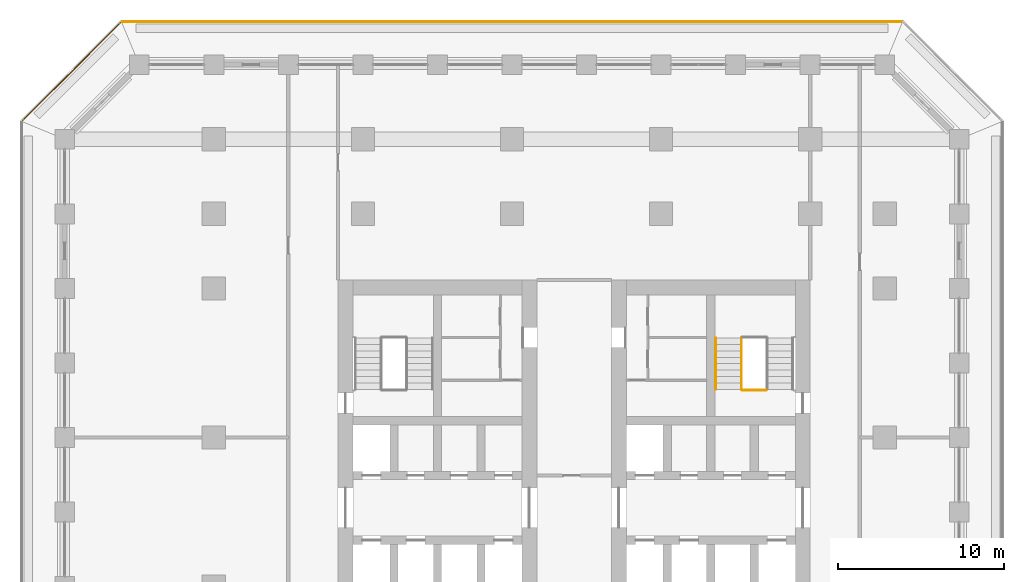
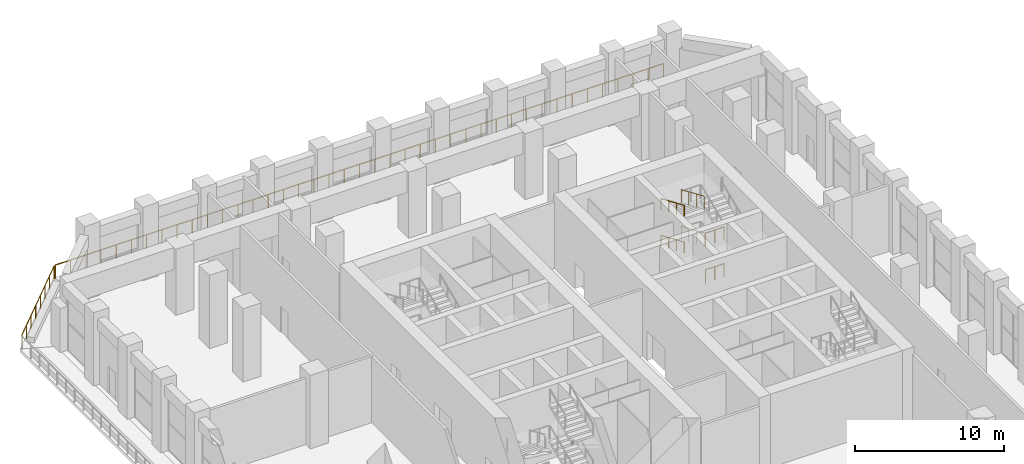
# One storey, part 22 of 24: 8 railings.
"""IFC4 building model written with IfcOpenShell, lengths in metres."""

from ifc_helpers import new_model, si_unit, direction, frame, origin, origin_2d, place, context, subcontext, project, spatial, circle, extrude, material, type_object, element, save


model = new_model("IFC4")

# Units and contexts
model_context = context("Model", 3, precision=1e-05, world=origin(), true_north=direction((0.0, 1.0)))
body_context = subcontext(model_context, "Body", "Model", "MODEL_VIEW")
ifc_project = project(units=[si_unit("LENGTHUNIT", "METRE"), si_unit("AREAUNIT", "SQUARE_METRE"), si_unit("VOLUMEUNIT", "CUBIC_METRE"), si_unit("PLANEANGLEUNIT", "RADIAN"), si_unit("MASSUNIT", "GRAM", prefix="KILO")], contexts=[model_context])

# Site, building, storey
site_placement = place(None, origin())
site = spatial("IfcSite", under=ifc_project, at=site_placement, CompositionType="ELEMENT")
building_placement = place(site_placement, origin())
building = spatial("IfcBuilding", under=site, at=building_placement, Name="Corbel Stack Research Tower", CompositionType="ELEMENT")
storey_placement = place(building_placement, frame((0.0, 0.0, 145.39990234375)))
storey = spatial("IfcBuildingStorey", under=building, at=storey_placement, Name="L33", CompositionType="ELEMENT", Elevation=145.39990234375)

# Railings
ifc_material_1 = material(Name="Steel S355", Category="steel")
railing_type_1 = type_object("IfcRailingType", Name="Stair guard 1100", PredefinedType="GUARDRAIL", material=ifc_material_1)
railing_1_placement = place(storey_placement, frame((13.85009765625, 15.00390625, 1.666748046875)))
element("IfcRailing", 1, at=railing_1_placement, inside=storey, type_object=railing_type_1, Name="L33 ST-E2 stair guard 4", PredefinedType="GUARDRAIL", context=body_context, shape_type="SweptSolid", body=[
    extrude(circle(Radius=0.02392578125, at=origin_2d()), frame((0.0, 0.0, 1.076171875), z_axis=(0.0, -0.918826996994, 0.394660549834), x_axis=(1.0, 0.0, 0.0)), (0.0, 0.0, 1.0), 3.378173828125),
    extrude(circle(Radius=0.02099609375, at=origin_2d()), origin(), (0.0, 0.0, 1.0), 1.052001953125),
    extrude(circle(Radius=0.02099609375, at=origin_2d()), frame((0.0, -1.03466796875, 0.4443359375)), (0.0, 0.0, 1.0), 1.052001953125),
    extrude(circle(Radius=0.02099609375, at=origin_2d()), frame((0.0, -2.0693359375, 0.888916015625)), (0.0, 0.0, 1.0), 1.052001953125),
    extrude(circle(Radius=0.02099609375, at=origin_2d()), frame((0.0, -3.10400390625, 1.333251953125)), (0.0, 0.0, 1.0), 1.052001953125),
])
railing_2_placement = place(storey_placement, frame((15.35009765625, 11.85009765625, 3.0)))
element("IfcRailing", 2, at=railing_2_placement, inside=storey, type_object=railing_type_1, Name="L33 ST-E2 stair guard 5", PredefinedType="GUARDRAIL", context=body_context, shape_type="SweptSolid", body=[
    extrude(circle(Radius=0.02392578125, at=origin_2d()), frame((0.0, 0.0, 1.076171875), z_axis=(-1.0, 0.0, 0.0), x_axis=(0.0, -1.0, 0.0)), (0.0, 0.0, 1.0), 1.4501953125),
    extrude(circle(Radius=0.02099609375, at=origin_2d()), origin(), (0.0, 0.0, 1.0), 1.052001953125),
    extrude(circle(Radius=0.02099609375, at=origin_2d()), frame((-0.72509765625, 0.0, 0.0)), (0.0, 0.0, 1.0), 1.052001953125),
    extrude(circle(Radius=0.02099609375, at=origin_2d()), frame((-1.4501953125, 0.0, 0.0)), (0.0, 0.0, 1.0), 1.052001953125),
])
railing_3_placement = place(storey_placement, frame((13.85009765625, 15.00390625, 4.666748046875)))
element("IfcRailing", 3, at=railing_3_placement, inside=storey, type_object=railing_type_1, Name="L33 ST-E2 stair guard 10", PredefinedType="GUARDRAIL", context=body_context, shape_type="SweptSolid", body=[
    extrude(circle(Radius=0.02392578125, at=origin_2d()), frame((0.0, 0.0, 1.076171875), z_axis=(0.0, -0.918826996994, 0.394660549834), x_axis=(1.0, 0.0, 0.0)), (0.0, 0.0, 1.0), 3.378173828125),
    extrude(circle(Radius=0.02099609375, at=origin_2d()), origin(), (0.0, 0.0, 1.0), 1.052001953125),
    extrude(circle(Radius=0.02099609375, at=origin_2d()), frame((0.0, -1.03466796875, 0.4443359375)), (0.0, 0.0, 1.0), 1.052001953125),
    extrude(circle(Radius=0.02099609375, at=origin_2d()), frame((0.0, -2.0693359375, 0.888916015625)), (0.0, 0.0, 1.0), 1.052001953125),
    extrude(circle(Radius=0.02099609375, at=origin_2d()), frame((0.0, -3.10400390625, 1.333251953125)), (0.0, 0.0, 1.0), 1.052001953125),
])
railing_4_placement = place(storey_placement, frame((15.35009765625, 11.85009765625, 0.0)))
element("IfcRailing", 4, at=railing_4_placement, inside=storey, type_object=railing_type_1, Name="L33 ST-E2 stair guard 11", PredefinedType="GUARDRAIL", context=body_context, shape_type="SweptSolid", body=[
    extrude(circle(Radius=0.02392578125, at=origin_2d()), frame((0.0, 0.0, 1.076171875), z_axis=(-1.0, 0.0, 0.0), x_axis=(0.0, -1.0, 0.0)), (0.0, 0.0, 1.0), 1.4501953125),
    extrude(circle(Radius=0.02099609375, at=origin_2d()), origin(), (0.0, 0.0, 1.0), 1.052001953125),
    extrude(circle(Radius=0.02099609375, at=origin_2d()), frame((-0.72509765625, 0.0, 0.0)), (0.0, 0.0, 1.0), 1.052001953125),
    extrude(circle(Radius=0.02099609375, at=origin_2d()), frame((-1.4501953125, 0.0, 0.0)), (0.0, 0.0, 1.0), 1.052001953125),
])
ifc_material_2 = material(Name="Steel S355", Category="steel")
railing_type_2 = type_object("IfcRailingType", Name="Stair handrail 900", PredefinedType="HANDRAIL", material=ifc_material_2)
for number, where, name in (
    (5, (12.300048828125, 15.00390625, 1.666748046875), "L33 ST-E2 stair handrail 2"),
    (6, (12.300048828125, 15.00390625, 4.666748046875), "L33 ST-E2 stair handrail 4"),
):
    element("IfcRailing", number, at=place(storey_placement, frame(where)), inside=storey, type_object=railing_type_2, Name=name, PredefinedType="HANDRAIL", context=body_context, shape_type="SweptSolid", body=[
        extrude(circle(Radius=0.02392578125, at=origin_2d()), frame((0.0, 0.0, 0.8759765625), z_axis=(0.0, -0.918826996994, 0.394660549834), x_axis=(1.0, 0.0, 0.0)), (0.0, 0.0, 1.0), 3.378173828125),
        extrude(circle(Radius=0.02099609375, at=origin_2d()), origin(), (0.0, 0.0, 1.0), 0.851806640625),
        extrude(circle(Radius=0.02099609375, at=origin_2d()), frame((0.0, -1.03466796875, 0.4443359375)), (0.0, 0.0, 1.0), 0.851806640625),
        extrude(circle(Radius=0.02099609375, at=origin_2d()), frame((0.0, -2.0693359375, 0.888916015625)), (0.0, 0.0, 1.0), 0.851806640625),
        extrude(circle(Radius=0.02099609375, at=origin_2d()), frame((0.0, -3.10400390625, 1.333251953125)), (0.0, 0.0, 1.0), 0.851806640625),
    ])
ifc_material_3 = material(Name="Powder-coated steel guard", Category="steel")
railing_type_3 = type_object("IfcRailingType", Name="Steel and glass guard 1100", PredefinedType="GUARDRAIL", material=ifc_material_3)
railing_5_placement = place(storey_placement, frame((23.50537109375, 34.10009765625, 0.0)))
element("IfcRailing", 7, at=railing_5_placement, inside=storey, type_object=railing_type_3, Name="Loggia guard L33 N", PredefinedType="GUARDRAIL", context=body_context, shape_type="SweptSolid", body=[
    extrude(circle(Radius=0.02392578125, at=origin_2d()), frame((0.0, 0.0, 1.076171875), z_axis=(-1.0, 0.0, 0.0), x_axis=(0.0, -1.0, 0.0)), (0.0, 0.0, 1.0), 47.0107421875),
    extrude(circle(Radius=0.02099609375, at=origin_2d()), origin(), (0.0, 0.0, 1.0), 1.052001953125),
    extrude(circle(Radius=0.02099609375, at=origin_2d()), frame((-1.17529296875, 0.0, 0.0)), (0.0, 0.0, 1.0), 1.052001953125),
    extrude(circle(Radius=0.02099609375, at=origin_2d()), frame((-2.3505859375, 0.0, 0.0)), (0.0, 0.0, 1.0), 1.052001953125),
    extrude(circle(Radius=0.02099609375, at=origin_2d()), frame((-3.52587890625, 0.0, 0.0)), (0.0, 0.0, 1.0), 1.052001953125),
    extrude(circle(Radius=0.02099609375, at=origin_2d()), frame((-4.701171875, 0.0, 0.0)), (0.0, 0.0, 1.0), 1.052001953125),
    extrude(circle(Radius=0.02099609375, at=origin_2d()), frame((-5.87646484375, 0.0, 0.0)), (0.0, 0.0, 1.0), 1.052001953125),
    extrude(circle(Radius=0.02099609375, at=origin_2d()), frame((-7.051513671875, 0.0, 0.0)), (0.0, 0.0, 1.0), 1.052001953125),
    extrude(circle(Radius=0.02099609375, at=origin_2d()), frame((-8.226806640625, 0.0, 0.0)), (0.0, 0.0, 1.0), 1.052001953125),
    extrude(circle(Radius=0.02099609375, at=origin_2d()), frame((-9.402099609375, 0.0, 0.0)), (0.0, 0.0, 1.0), 1.052001953125),
    extrude(circle(Radius=0.02099609375, at=origin_2d()), frame((-10.577392578125, 0.0, 0.0)), (0.0, 0.0, 1.0), 1.052001953125),
    extrude(circle(Radius=0.02099609375, at=origin_2d()), frame((-11.752685546875, 0.0, 0.0)), (0.0, 0.0, 1.0), 1.052001953125),
    extrude(circle(Radius=0.02099609375, at=origin_2d()), frame((-12.927978515625, 0.0, 0.0)), (0.0, 0.0, 1.0), 1.052001953125),
    extrude(circle(Radius=0.02099609375, at=origin_2d()), frame((-14.103271484375, 0.0, 0.0)), (0.0, 0.0, 1.0), 1.052001953125),
    extrude(circle(Radius=0.02099609375, at=origin_2d()), frame((-15.278564453125, 0.0, 0.0)), (0.0, 0.0, 1.0), 1.052001953125),
    extrude(circle(Radius=0.02099609375, at=origin_2d()), frame((-16.453857421875, 0.0, 0.0)), (0.0, 0.0, 1.0), 1.052001953125),
    extrude(circle(Radius=0.02099609375, at=origin_2d()), frame((-17.62890625, 0.0, 0.0)), (0.0, 0.0, 1.0), 1.052001953125),
    extrude(circle(Radius=0.02099609375, at=origin_2d()), frame((-18.80419921875, 0.0, 0.0)), (0.0, 0.0, 1.0), 1.052001953125),
    extrude(circle(Radius=0.02099609375, at=origin_2d()), frame((-19.9794921875, 0.0, 0.0)), (0.0, 0.0, 1.0), 1.052001953125),
    extrude(circle(Radius=0.02099609375, at=origin_2d()), frame((-21.15478515625, 0.0, 0.0)), (0.0, 0.0, 1.0), 1.052001953125),
    extrude(circle(Radius=0.02099609375, at=origin_2d()), frame((-22.330078125, 0.0, 0.0)), (0.0, 0.0, 1.0), 1.052001953125),
    extrude(circle(Radius=0.02099609375, at=origin_2d()), frame((-23.50537109375, 0.0, 0.0)), (0.0, 0.0, 1.0), 1.052001953125),
    extrude(circle(Radius=0.02099609375, at=origin_2d()), frame((-24.6806640625, 0.0, 0.0)), (0.0, 0.0, 1.0), 1.052001953125),
    extrude(circle(Radius=0.02099609375, at=origin_2d()), frame((-25.85595703125, 0.0, 0.0)), (0.0, 0.0, 1.0), 1.052001953125),
    extrude(circle(Radius=0.02099609375, at=origin_2d()), frame((-27.03125, 0.0, 0.0)), (0.0, 0.0, 1.0), 1.052001953125),
    extrude(circle(Radius=0.02099609375, at=origin_2d()), frame((-28.20654296875, 0.0, 0.0)), (0.0, 0.0, 1.0), 1.052001953125),
    extrude(circle(Radius=0.02099609375, at=origin_2d()), frame((-29.3818359375, 0.0, 0.0)), (0.0, 0.0, 1.0), 1.052001953125),
    extrude(circle(Radius=0.02099609375, at=origin_2d()), frame((-30.556884765625, 0.0, 0.0)), (0.0, 0.0, 1.0), 1.052001953125),
    extrude(circle(Radius=0.02099609375, at=origin_2d()), frame((-31.732177734375, 0.0, 0.0)), (0.0, 0.0, 1.0), 1.052001953125),
    extrude(circle(Radius=0.02099609375, at=origin_2d()), frame((-32.907470703125, 0.0, 0.0)), (0.0, 0.0, 1.0), 1.052001953125),
    extrude(circle(Radius=0.02099609375, at=origin_2d()), frame((-34.082763671875, 0.0, 0.0)), (0.0, 0.0, 1.0), 1.052001953125),
    extrude(circle(Radius=0.02099609375, at=origin_2d()), frame((-35.258056640625, 0.0, 0.0)), (0.0, 0.0, 1.0), 1.052001953125),
    extrude(circle(Radius=0.02099609375, at=origin_2d()), frame((-36.433349609375, 0.0, 0.0)), (0.0, 0.0, 1.0), 1.052001953125),
    extrude(circle(Radius=0.02099609375, at=origin_2d()), frame((-37.608642578125, 0.0, 0.0)), (0.0, 0.0, 1.0), 1.052001953125),
    extrude(circle(Radius=0.02099609375, at=origin_2d()), frame((-38.783935546875, 0.0, 0.0)), (0.0, 0.0, 1.0), 1.052001953125),
    extrude(circle(Radius=0.02099609375, at=origin_2d()), frame((-39.959228515625, 0.0, 0.0)), (0.0, 0.0, 1.0), 1.052001953125),
    extrude(circle(Radius=0.02099609375, at=origin_2d()), frame((-41.13427734375, 0.0, 0.0)), (0.0, 0.0, 1.0), 1.052001953125),
    extrude(circle(Radius=0.02099609375, at=origin_2d()), frame((-42.3095703125, 0.0, 0.0)), (0.0, 0.0, 1.0), 1.052001953125),
    extrude(circle(Radius=0.02099609375, at=origin_2d()), frame((-43.48486328125, 0.0, 0.0)), (0.0, 0.0, 1.0), 1.052001953125),
    extrude(circle(Radius=0.02099609375, at=origin_2d()), frame((-44.66015625, 0.0, 0.0)), (0.0, 0.0, 1.0), 1.052001953125),
    extrude(circle(Radius=0.02099609375, at=origin_2d()), frame((-45.83544921875, 0.0, 0.0)), (0.0, 0.0, 1.0), 1.052001953125),
    extrude(circle(Radius=0.02099609375, at=origin_2d()), frame((-47.0107421875, 0.0, 0.0)), (0.0, 0.0, 1.0), 1.052001953125),
])
railing_6_placement = place(storey_placement, frame((-23.627685546875, 34.04931640625, 0.0)))
element("IfcRailing", 8, at=railing_6_placement, inside=storey, type_object=railing_type_3, Name="Loggia guard L33 NW", PredefinedType="GUARDRAIL", context=body_context, shape_type="SweptSolid", body=[
    extrude(circle(Radius=0.02392578125, at=origin_2d()), frame((0.0, 0.0, 1.076171875), z_axis=(-0.707106781187, -0.707106781187, 0.0), x_axis=(0.707106781187, -0.707106781187, 0.0)), (0.0, 0.0, 1.0), 8.37451171875),
    extrude(circle(Radius=0.02099609375, at=origin_2d()), origin(), (0.0, 0.0, 1.0), 1.052001953125),
    extrude(circle(Radius=0.02099609375, at=origin_2d()), frame((-0.845947265625, -0.845947265625, 0.0)), (0.0, 0.0, 1.0), 1.052001953125),
    extrude(circle(Radius=0.02099609375, at=origin_2d()), frame((-1.69189453125, -1.69189453125, 0.0)), (0.0, 0.0, 1.0), 1.052001953125),
    extrude(circle(Radius=0.02099609375, at=origin_2d()), frame((-2.537841796875, -2.537841796875, 0.0)), (0.0, 0.0, 1.0), 1.052001953125),
    extrude(circle(Radius=0.02099609375, at=origin_2d()), frame((-3.3837890625, -3.3837890625, 0.0)), (0.0, 0.0, 1.0), 1.052001953125),
    extrude(circle(Radius=0.02099609375, at=origin_2d()), frame((-4.229736328125, -4.229736328125, 0.0)), (0.0, 0.0, 1.0), 1.052001953125),
    extrude(circle(Radius=0.02099609375, at=origin_2d()), frame((-5.07568359375, -5.07568359375, 0.0)), (0.0, 0.0, 1.0), 1.052001953125),
    extrude(circle(Radius=0.02099609375, at=origin_2d()), frame((-5.921630859375, -5.921630859375, 0.0)), (0.0, 0.0, 1.0), 1.052001953125),
])

save(model, "model.ifc")
